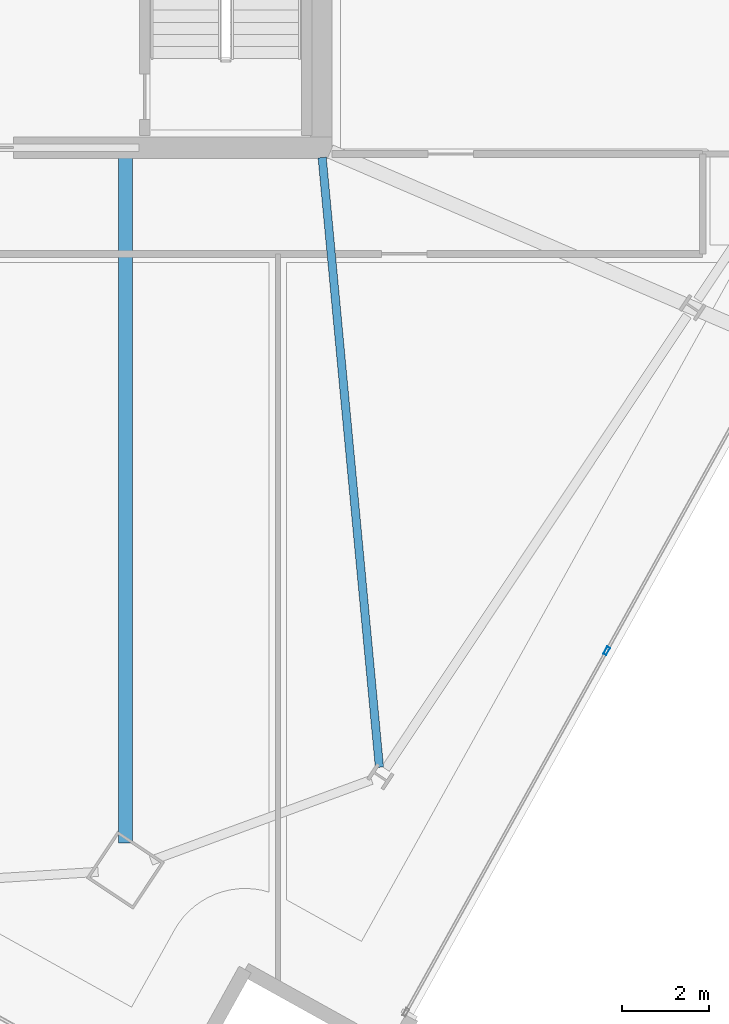
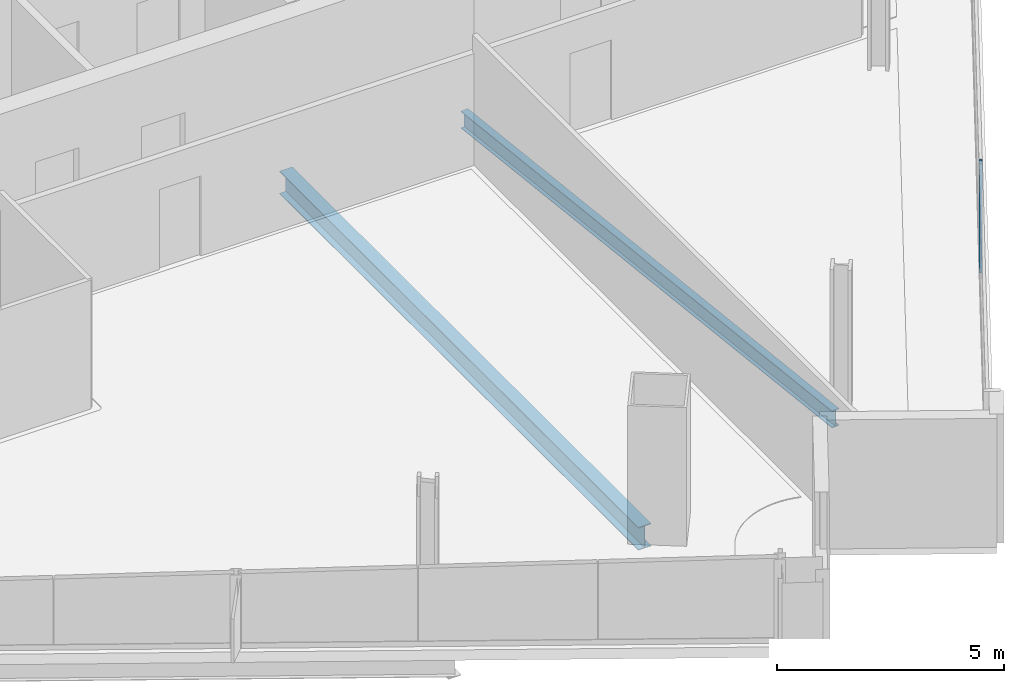
# One storey, part 8 of 28: 2 beams, 1 member, 1 element without a shape of its own.
"""IFC4 building model written with IfcOpenShell, lengths in metres."""

from ifc_helpers import new_model, si_unit, direction, frame, origin, origin_2d, place, context, subcontext, project, spatial, hollow_rectangle, i_section, extrude, material, material_profile, profile_set, type_object, element, aggregate, save


model = new_model("IFC4")

# Units and contexts
model_context = context("Model", 3, precision=1e-05, world=origin(), true_north=direction((0.0, 1.0)))
body_context = subcontext(model_context, "Body", "Model", "MODEL_VIEW")
ifc_project = project(units=[si_unit("LENGTHUNIT", "METRE"), si_unit("AREAUNIT", "SQUARE_METRE"), si_unit("VOLUMEUNIT", "CUBIC_METRE"), si_unit("PLANEANGLEUNIT", "RADIAN"), si_unit("MASSUNIT", "GRAM", prefix="KILO")], contexts=[model_context])

# Site, building, storey
site_placement = place(None, origin())
site = spatial("IfcSite", under=ifc_project, at=site_placement, CompositionType="ELEMENT")
building_placement = place(site_placement, origin())
building = spatial("IfcBuilding", under=site, at=building_placement, Name="Haldenkirk Collegiate Tower", CompositionType="ELEMENT")
storey_placement = place(building_placement, frame((0.0, 0.0, 232.199951171875)))
storey = spatial("IfcBuildingStorey", under=building, at=storey_placement, Name="L58", CompositionType="ELEMENT", Elevation=232.199951171875)

# Beams
ifc_material_1 = material(Name="Steel ASTM A992 Grade 50", Category="steel")
ifc_material_profile_1 = material_profile(ifc_material_1, i_section(OverallWidth=0.324951171875, OverallDepth=0.615966796875, WebThickness=0.013916015625, FlangeThickness=0.021484375, at=origin_2d()), Name="W24X117")
ifc_profile_set_1 = profile_set([ifc_material_profile_1], Name="Steel ASTM A992 Grade 50")
beam_type_1 = type_object("IfcBeamType", Name="BM-GIRDER-W24X117", PredefinedType="BEAM", material=ifc_profile_set_1)
beam_1_placement = place(storey_placement, frame((40.482666015625, 1.962890625, -0.587890625), z_axis=(0.0, 1.0, 0.0), x_axis=(-1.0, 0.0, 0.0)))
element("IfcBeam", 1, at=beam_1_placement, inside=storey, type_object=beam_type_1, Name="L58 primary floor girder 01", PredefinedType="BEAM", context=body_context, shape_type="SweptSolid", body=[
    extrude(i_section(OverallWidth=0.324951171875, OverallDepth=0.615966796875, WebThickness=0.013916015625, FlangeThickness=0.021484375, at=origin_2d()), origin(), (0.0, 0.0, 1.0), 15.80712890625),
])
ifc_material_profile_2 = material_profile(ifc_material_1, i_section(OverallWidth=0.18994140625, OverallDepth=0.45703125, WebThickness=0.009033203125, FlangeThickness=0.014404296875, at=origin_2d()), Name="W18X50")
ifc_profile_set_2 = profile_set([ifc_material_profile_2], Name="Steel ASTM A992 Grade 50")
beam_type_2 = type_object("IfcBeamType", Name="BM-JOIST-W18X50", PredefinedType="JOIST", material=ifc_profile_set_2)
beam_2_placement = place(storey_placement, frame((46.3427734375, 3.705810546875, -0.508544921875), z_axis=(-0.093528614258, 0.995616592025, 0.0), x_axis=(-0.995616592025, -0.093528614258, 0.0)))
element("IfcBeam", 2, at=beam_2_placement, inside=storey, type_object=beam_type_2, Name="L58 composite floor joist 05", PredefinedType="JOIST", context=body_context, shape_type="SweptSolid", body=[
    extrude(i_section(OverallWidth=0.18994140625, OverallDepth=0.45703125, WebThickness=0.009033203125, FlangeThickness=0.014404296875, at=origin_2d()), origin(), (0.0, 0.0, 1.0), 14.127197265625),
])

# Curtain wall, member
ifc_material_2 = material(Name="Anodised architectural bronze aluminium", Category="aluminium")
curtain_wall_type = type_object("IfcCurtainWallType", Name="CW-SYS2-CONCAVE", PredefinedType="USERDEFINED", material=ifc_material_2)
curtain_wall_placement = place(storey_placement, origin())
curtain_wall = element("IfcCurtainWall", 3, at=curtain_wall_placement, inside=storey, type_object=curtain_wall_type, Name="L58 South concave recessed bronze-anodised curtain wall", ObjectType="UNITISED CURTAIN WALL", PredefinedType="USERDEFINED")
ifc_material_profile_3 = material_profile(ifc_material_2, hollow_rectangle(XDim=0.074951171875, YDim=0.18994140625, WallThickness=0.0048828125, at=origin_2d()), Name="CW-MUL-02")
ifc_profile_set_3 = profile_set([ifc_material_profile_3], Name="Anodised architectural bronze aluminium")
member_type = type_object("IfcMemberType", Name="CW-MUL-02", PredefinedType="MULLION", material=ifc_profile_set_3)
member_placement = place(storey_placement, frame((51.583984375, 6.39111328125, 0.0), z_axis=(0.0, 0.0, 1.0), x_axis=(0.874195452624, -0.485574207111, 0.0)))
member = element("IfcMember", 4, at=member_placement, type_object=member_type, Name="CW-02 mullion 4", PredefinedType="MULLION", context=body_context, shape_type="SweptSolid", body=[
    extrude(hollow_rectangle(XDim=0.074951171875, YDim=0.18994140625, WallThickness=0.0048828125, at=origin_2d()), origin(), (0.0, 0.0, 1.0), 2.927978515625),
])
aggregate(curtain_wall, [member])

save(model, "model.ifc")
